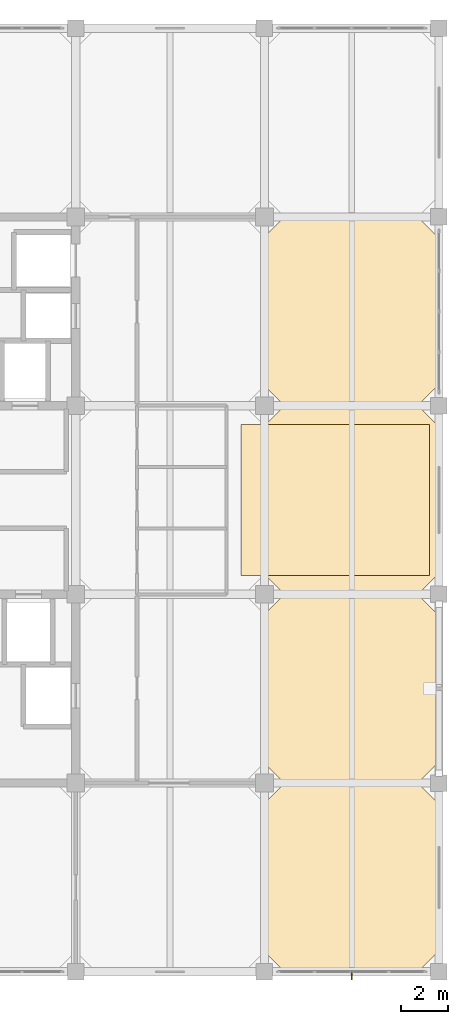
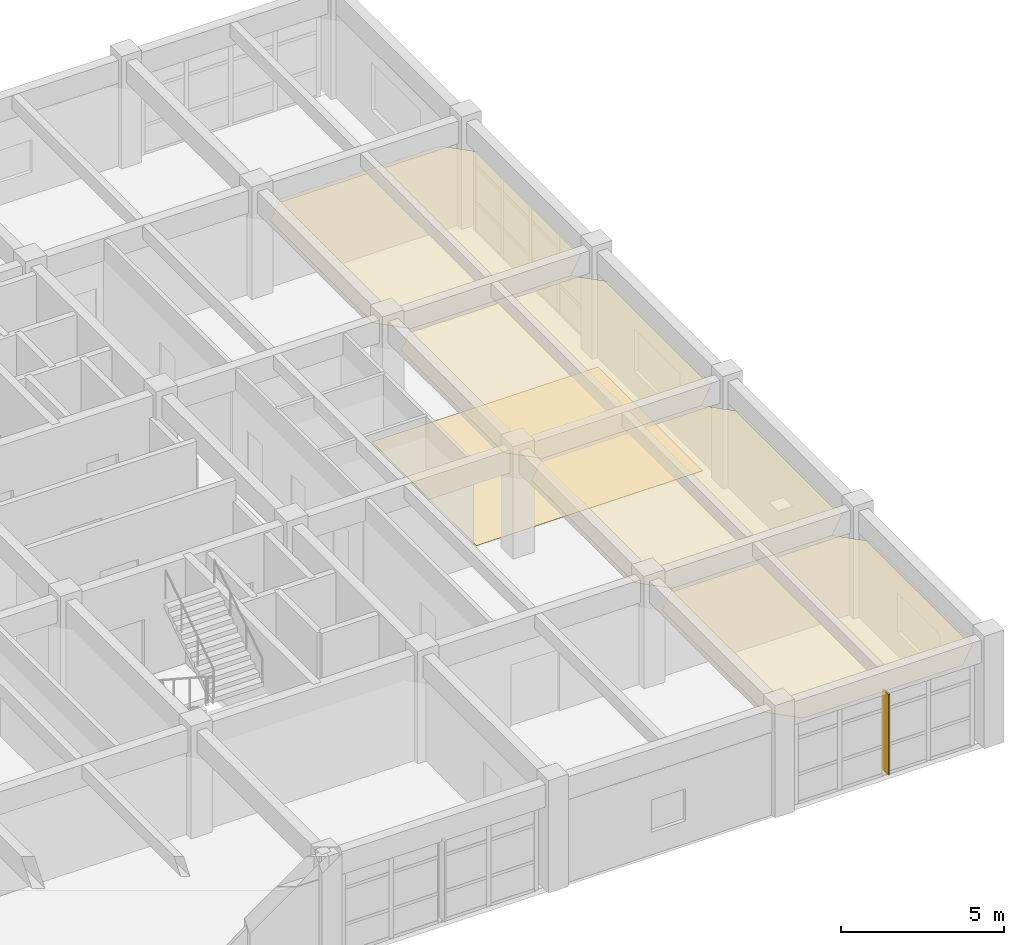
# One storey, part 26 of 27: 5 coverings, 1 shading device.
"""IFC4 building model written with IfcOpenShell, lengths in metres."""

from ifc_helpers import new_model, si_unit, direction, frame, origin, origin_2d, place, context, subcontext, project, spatial, polyline, rectangle, outline, extrude, material, layer, layer_set, type_object, element, save


model = new_model("IFC4")

# Units and contexts
model_context = context("Model", 3, precision=1e-05, world=origin(), true_north=direction((0.0, 1.0)))
body_context = subcontext(model_context, "Body", "Model", "MODEL_VIEW")
ifc_project = project(units=[si_unit("LENGTHUNIT", "METRE"), si_unit("AREAUNIT", "SQUARE_METRE"), si_unit("VOLUMEUNIT", "CUBIC_METRE"), si_unit("PLANEANGLEUNIT", "RADIAN"), si_unit("MASSUNIT", "GRAM", prefix="KILO")], contexts=[model_context])

# Site, building, storey
site_placement = place(None, origin())
site = spatial("IfcSite", under=ifc_project, at=site_placement, CompositionType="ELEMENT")
building_placement = place(site_placement, origin())
building = spatial("IfcBuilding", under=site, at=building_placement, Name="Canggui Botanical Conservatory", CompositionType="ELEMENT")
storey_placement = place(building_placement, frame((0.0, 0.0, 36.0)))
storey = spatial("IfcBuildingStorey", under=building, at=storey_placement, Name="L09", CompositionType="ELEMENT", Elevation=36.0)

# Coverings
ifc_material_1 = material(Name="Mineral Fibre Acoustic Board")
ifc_layer_1 = layer(ifc_material_1, 0.014892578125, Name="Mineral Fibre Acoustic Board")
ifc_layer_set_1 = layer_set([ifc_layer_1], Name="Mineral Fibre Acoustic Board")
covering_type_1 = type_object("IfcCoveringType", Name="COV-CEIL-15", PredefinedType="CEILING", material=ifc_layer_set_1)
covering_1_placement = place(storey_placement, frame((0.0, 0.0, 3.094970703125)))
element("IfcCovering", 1, at=covering_1_placement, inside=storey, type_object=covering_type_1, Name="Suspended Acoustic Ceiling L09-170-34", PredefinedType="CEILING", context=body_context, shape_type="SweptSolid", body=[
    extrude(outline(polyline([(170.85009765625, 34.0), (176.5, 34.0), (177.35009765625, 34.85009765625), (177.35009765625, 41.14990234375), (176.5, 42.0), (170.85009765625, 42.0), (170.0, 41.14990234375), (170.0, 34.85009765625), (170.85009765625, 34.0)])), origin(), (0.0, 0.0, 1.0), 0.01513671875),
])
covering_2_placement = place(storey_placement, frame((0.0, 0.0, 3.094970703125)))
element("IfcCovering", 2, at=covering_2_placement, inside=storey, type_object=covering_type_1, Name="Suspended Acoustic Ceiling L09-170-50", PredefinedType="CEILING", context=body_context, shape_type="SweptSolid", body=[
    extrude(outline(polyline([(170.85009765625, 50.0), (176.5, 50.0), (177.35009765625, 50.85009765625), (177.35009765625, 57.14990234375), (176.5, 58.0), (170.85009765625, 58.0), (170.0, 57.14990234375), (170.0, 50.85009765625), (170.85009765625, 50.0)])), origin(), (0.0, 0.0, 1.0), 0.01513671875),
])
ifc_material_2 = material(Name="Perforated Gypsum Acoustic Panel")
ifc_layer_2 = layer(ifc_material_2, 0.02001953125, Name="Perforated Gypsum Acoustic Panel")
ifc_layer_set_2 = layer_set([ifc_layer_2], Name="Perforated Gypsum Acoustic Panel")
covering_type_2 = type_object("IfcCoveringType", Name="COV-CEIL-20", PredefinedType="CEILING", material=ifc_layer_set_2)
covering_3_placement = place(storey_placement, frame((0.0, 0.0, 3.090087890625)))
element("IfcCovering", 3, at=covering_3_placement, inside=storey, type_object=covering_type_2, Name="Suspended Acoustic Ceiling L09-170-42", PredefinedType="CEILING", context=body_context, shape_type="SweptSolid", body=[
    extrude(outline(polyline([(170.85009765625, 42.0), (176.5, 42.0), (177.35009765625, 42.85009765625), (177.35009765625, 49.14990234375), (176.5, 50.0), (170.85009765625, 50.0), (170.0, 49.14990234375), (170.0, 42.85009765625), (170.85009765625, 42.0)])), origin(), (0.0, 0.0, 1.0), 0.02001953125),
])
covering_4_placement = place(storey_placement, frame((0.0, 0.0, 3.090087890625)))
element("IfcCovering", 4, at=covering_4_placement, inside=storey, type_object=covering_type_2, Name="Suspended Acoustic Ceiling L09-170-58", PredefinedType="CEILING", context=body_context, shape_type="SweptSolid", body=[
    extrude(outline(polyline([(170.85009765625, 58.0), (176.5, 58.0), (177.35009765625, 58.85009765625), (177.35009765625, 65.14990234375), (176.5, 66.0), (170.85009765625, 66.0), (170.0, 65.14990234375), (170.0, 58.85009765625), (170.85009765625, 58.0)])), origin(), (0.0, 0.0, 1.0), 0.02001953125),
])
ifc_material_3 = material(Name="Seamless Laboratory Epoxy Resin")
ifc_layer_3 = layer(ifc_material_3, 0.011962890625, Name="Seamless Laboratory Epoxy Resin")
ifc_layer_set_3 = layer_set([ifc_layer_3], Name="Seamless Laboratory Epoxy Resin")
covering_type_3 = type_object("IfcCoveringType", Name="COV-FLR-12", PredefinedType="FLOORING", material=ifc_layer_set_3)
covering_5_placement = place(storey_placement, origin())
element("IfcCovering", 5, at=covering_5_placement, inside=storey, type_object=covering_type_3, Name="Laboratory Finish Flooring L09", PredefinedType="FLOORING", context=body_context, shape_type="SweptSolid", body=[
    extrude(outline(polyline([(169.0, 50.800048828125), (177.0, 50.800048828125), (177.0, 57.199951171875), (169.0, 57.199951171875), (169.0, 50.800048828125)])), origin(), (0.0, 0.0, 1.0), 0.011962890625),
])

# Shading device
ifc_material_4 = material(Name="Anodised Aluminium", Category="aluminium")
shading_device_type = type_object("IfcShadingDeviceType", Name="SHD-FIN02", PredefinedType="AWNING", material=ifc_material_4)
shading_device_placement = place(storey_placement, frame((173.699951171875, 33.8349609375, 0.199951171875), z_axis=(0.0, 0.0, 1.0), x_axis=(-1.0, 0.0, 0.0)))
element("IfcShadingDevice", 6, at=shading_device_placement, inside=storey, type_object=shading_device_type, Name="Solar Shading Fin CW-TWR-L09-01", PredefinedType="AWNING", context=body_context, shape_type="SweptSolid", body=[
    extrude(rectangle(XDim=0.06005859375, YDim=0.360107421875, at=origin_2d()), origin(), (0.0, 0.0, 1.0), 3.0),
])

save(model, "model.ifc")
